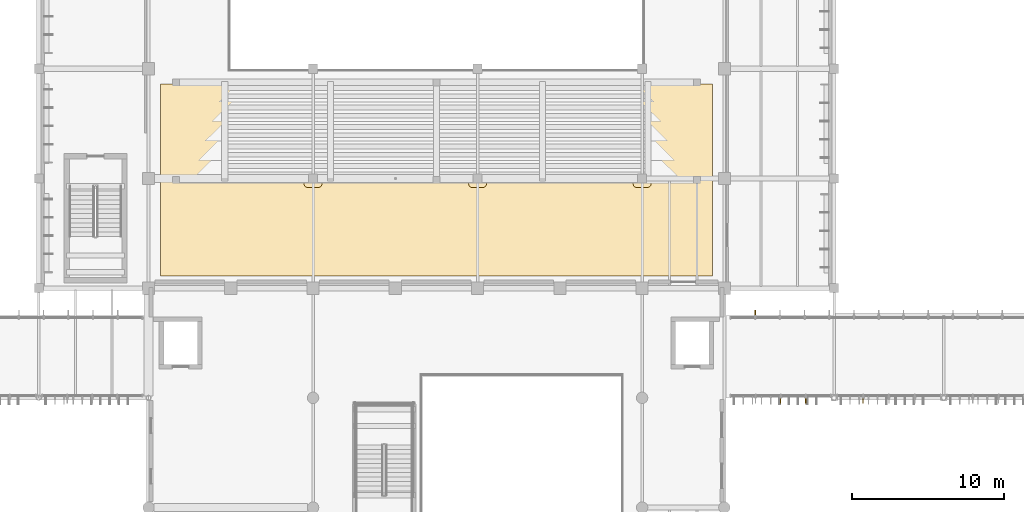
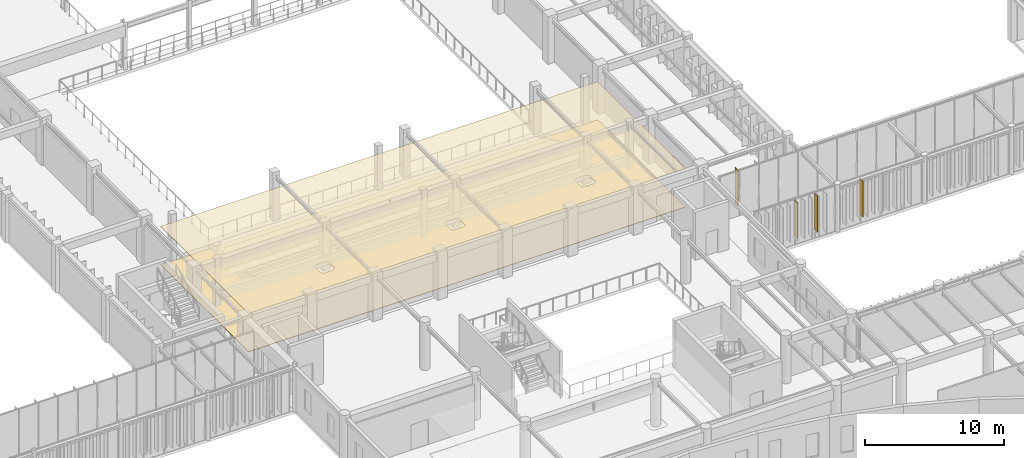
# One storey, part 112 of 122: 4 shading devices, 2 coverings.
"""IFC4 building model written with IfcOpenShell, lengths in metres."""

from ifc_helpers import new_model, si_unit, direction, frame, origin, origin_2d, place, context, subcontext, project, spatial, polyline, rectangle, outline, extrude, material, layer, layer_set, type_object, element, save


model = new_model("IFC4")

# Units and contexts
model_context = context("Model", 3, precision=1e-05, world=origin(), true_north=direction((0.0, 1.0)))
body_context = subcontext(model_context, "Body", "Model", "MODEL_VIEW")
ifc_project = project(units=[si_unit("LENGTHUNIT", "METRE"), si_unit("AREAUNIT", "SQUARE_METRE"), si_unit("VOLUMEUNIT", "CUBIC_METRE"), si_unit("PLANEANGLEUNIT", "RADIAN"), si_unit("MASSUNIT", "GRAM", prefix="KILO")], contexts=[model_context])

# Site, building, storey
site_placement = place(None, origin())
site = spatial("IfcSite", under=ifc_project, at=site_placement, CompositionType="ELEMENT")
building_placement = place(site_placement, origin())
building = spatial("IfcBuilding", under=site, at=building_placement, Name="Tazoul Stagehouse", CompositionType="ELEMENT")
storey_placement = place(building_placement, frame((0.0, 0.0, 4.800048828125)))
storey = spatial("IfcBuildingStorey", under=building, at=storey_placement, Name="L01", CompositionType="ELEMENT", Elevation=4.800048828125)

# Shading devices
ifc_material_1 = material(Name="Anodised Bronze Aluminium 6063-T6", Category="aluminium")
ifc_layer_1 = layer(ifc_material_1, 0.050048828125, Name="Anodised Bronze Aluminium 6063-T6")
ifc_layer_set_1 = layer_set([ifc_layer_1], Name="Anodised Bronze Aluminium 6063-T6")
shading_device_type_1 = type_object("IfcShadingDeviceType", Name="Angled Acoustic Sun-Screen Blade 460", PredefinedType="USERDEFINED", material=ifc_layer_set_1)
for number, where, z_axis, x_axis, name in (
    (1, (100.740966796875, 44.469970703125, 0.75), (0.0, 0.0, 1.0), (1.0, 0.0, 0.0), "Shading Louvre FIN-02 CW-ELNK-S-L01-B1-SHD03"),
    (2, (104.505859375, 44.469970703125, 0.75), (0.0, 0.0, 1.0), (1.0, 0.0, 0.0), "Shading Louvre FIN-02 CW-ELNK-S-L01-B2-SHD01"),
    (3, (97.422119140625, 50.1298828125, 0.75), (0.0, 0.0, 1.0), (1.0, 0.0, 0.0), "Shading Louvre FIN-02 CW-ELNK-N-L01-SHD01"),
):
    element("IfcShadingDevice", number, at=place(storey_placement, frame(where, z_axis=z_axis, x_axis=x_axis)), inside=storey, type_object=shading_device_type_1, Name=name, ObjectType="FIN", PredefinedType="USERDEFINED", context=body_context, shape_type="SweptSolid", body=[
        extrude(rectangle(XDim=0.044921875, YDim=0.4599609375, at=origin_2d()), origin(), (0.0, 0.0, 1.0), 3.14990234375),
    ])

# Coverings
ifc_material_2 = material(Name="Acoustic Cedar Timber", Category="wood")
ifc_layer_2 = layer(ifc_material_2, 0.0400390625, Name="Acoustic Cedar Timber")
ifc_layer_set_2 = layer_set([ifc_layer_2], Name="Acoustic Cedar Timber")
covering_type_1 = type_object("IfcCoveringType", Name="Atlas Cedar Sprung Stage & Hall Flooring 40", PredefinedType="FLOORING", material=ifc_layer_set_2)
covering_1_placement = place(storey_placement, origin())
element("IfcCovering", 4, at=covering_1_placement, inside=storey, type_object=covering_type_1, Name="L01 Dress Circle Tier and Side Boxes Flooring", PredefinedType="FLOORING", context=body_context, shape_type="SweptSolid", body=[
    extrude(outline(polyline([(94.610107421875, 65.2099609375), (94.610107421875, 52.590087890625), (58.389892578125, 52.590087890625), (58.389892578125, 65.2099609375), (94.610107421875, 65.2099609375)]), holes=[polyline([(90.5888671875, 59.364501953125), (90.585205078125, 59.388916015625), (90.5791015625, 59.41259765625), (90.571044921875, 59.435791015625), (90.560546875, 59.457763671875), (90.5478515625, 59.47900390625), (90.533203125, 59.49853515625), (90.516845703125, 59.516845703125), (90.49853515625, 59.533203125), (90.47900390625, 59.5478515625), (90.457763671875, 59.560546875), (90.435791015625, 59.571044921875), (90.41259765625, 59.5791015625), (90.388916015625, 59.585205078125), (90.364501953125, 59.5888671875), (90.340087890625, 59.590087890625), (89.659912109375, 59.590087890625), (89.635498046875, 59.5888671875), (89.611083984375, 59.585205078125), (89.58740234375, 59.5791015625), (89.564208984375, 59.571044921875), (89.542236328125, 59.560546875), (89.52099609375, 59.5478515625), (89.50146484375, 59.533203125), (89.483154296875, 59.516845703125), (89.466796875, 59.49853515625), (89.4521484375, 59.47900390625), (89.439453125, 59.457763671875), (89.428955078125, 59.435791015625), (89.4208984375, 59.41259765625), (89.414794921875, 59.388916015625), (89.4111328125, 59.364501953125), (89.409912109375, 59.340087890625), (89.409912109375, 58.659912109375), (89.4111328125, 58.635498046875), (89.414794921875, 58.611083984375), (89.4208984375, 58.58740234375), (89.428955078125, 58.564208984375), (89.439453125, 58.542236328125), (89.4521484375, 58.52099609375), (89.466796875, 58.50146484375), (89.483154296875, 58.483154296875), (89.50146484375, 58.466796875), (89.52099609375, 58.4521484375), (89.542236328125, 58.439453125), (89.564208984375, 58.428955078125), (89.58740234375, 58.4208984375), (89.611083984375, 58.414794921875), (89.635498046875, 58.4111328125), (89.659912109375, 58.409912109375), (90.340087890625, 58.409912109375), (90.364501953125, 58.4111328125), (90.388916015625, 58.414794921875), (90.41259765625, 58.4208984375), (90.435791015625, 58.428955078125), (90.457763671875, 58.439453125), (90.47900390625, 58.4521484375), (90.49853515625, 58.466796875), (90.516845703125, 58.483154296875), (90.533203125, 58.50146484375), (90.5478515625, 58.52099609375), (90.560546875, 58.542236328125), (90.571044921875, 58.564208984375), (90.5791015625, 58.58740234375), (90.585205078125, 58.611083984375), (90.5888671875, 58.635498046875), (90.590087890625, 58.659912109375), (90.590087890625, 59.340087890625), (90.5888671875, 59.364501953125)]), polyline([(79.788818359375, 59.364501953125), (79.78515625, 59.388916015625), (79.779296875, 59.41259765625), (79.77099609375, 59.435791015625), (79.760498046875, 59.457763671875), (79.747802734375, 59.47900390625), (79.7333984375, 59.49853515625), (79.716796875, 59.516845703125), (79.698486328125, 59.533203125), (79.678955078125, 59.5478515625), (79.65771484375, 59.560546875), (79.6357421875, 59.571044921875), (79.612548828125, 59.5791015625), (79.5888671875, 59.585205078125), (79.564453125, 59.5888671875), (79.5400390625, 59.590087890625), (78.860107421875, 59.590087890625), (78.83544921875, 59.5888671875), (78.811279296875, 59.585205078125), (78.787353515625, 59.5791015625), (78.764404296875, 59.571044921875), (78.7421875, 59.560546875), (78.72119140625, 59.5478515625), (78.701416015625, 59.533203125), (78.68310546875, 59.516845703125), (78.666748046875, 59.49853515625), (78.652099609375, 59.47900390625), (78.639404296875, 59.457763671875), (78.62890625, 59.435791015625), (78.620849609375, 59.41259765625), (78.61474609375, 59.388916015625), (78.611083984375, 59.364501953125), (78.610107421875, 59.340087890625), (78.610107421875, 58.659912109375), (78.611083984375, 58.635498046875), (78.61474609375, 58.611083984375), (78.620849609375, 58.58740234375), (78.62890625, 58.564208984375), (78.639404296875, 58.542236328125), (78.652099609375, 58.52099609375), (78.666748046875, 58.50146484375), (78.68310546875, 58.483154296875), (78.701416015625, 58.466796875), (78.72119140625, 58.4521484375), (78.7421875, 58.439453125), (78.764404296875, 58.428955078125), (78.787353515625, 58.4208984375), (78.811279296875, 58.414794921875), (78.83544921875, 58.4111328125), (78.860107421875, 58.409912109375), (79.5400390625, 58.409912109375), (79.564453125, 58.4111328125), (79.5888671875, 58.414794921875), (79.612548828125, 58.4208984375), (79.6357421875, 58.428955078125), (79.65771484375, 58.439453125), (79.678955078125, 58.4521484375), (79.698486328125, 58.466796875), (79.716796875, 58.483154296875), (79.7333984375, 58.50146484375), (79.747802734375, 58.52099609375), (79.760498046875, 58.542236328125), (79.77099609375, 58.564208984375), (79.779296875, 58.58740234375), (79.78515625, 58.611083984375), (79.788818359375, 58.635498046875), (79.7900390625, 58.659912109375), (79.7900390625, 59.340087890625), (79.788818359375, 59.364501953125)]), polyline([(68.98876953125, 59.364501953125), (68.985107421875, 59.388916015625), (68.979248046875, 59.41259765625), (68.970947265625, 59.435791015625), (68.96044921875, 59.457763671875), (68.947998046875, 59.47900390625), (68.933349609375, 59.49853515625), (68.916748046875, 59.516845703125), (68.898681640625, 59.533203125), (68.87890625, 59.5478515625), (68.85791015625, 59.560546875), (68.835693359375, 59.571044921875), (68.8125, 59.5791015625), (68.788818359375, 59.585205078125), (68.764404296875, 59.5888671875), (68.739990234375, 59.590087890625), (68.06005859375, 59.590087890625), (68.035400390625, 59.5888671875), (68.01123046875, 59.585205078125), (67.9873046875, 59.5791015625), (67.96435546875, 59.571044921875), (67.942138671875, 59.560546875), (67.921142578125, 59.5478515625), (67.9013671875, 59.533203125), (67.88330078125, 59.516845703125), (67.86669921875, 59.49853515625), (67.85205078125, 59.47900390625), (67.839599609375, 59.457763671875), (67.8291015625, 59.435791015625), (67.82080078125, 59.41259765625), (67.814697265625, 59.388916015625), (67.811279296875, 59.364501953125), (67.81005859375, 59.340087890625), (67.81005859375, 58.659912109375), (67.811279296875, 58.635498046875), (67.814697265625, 58.611083984375), (67.82080078125, 58.58740234375), (67.8291015625, 58.564208984375), (67.839599609375, 58.542236328125), (67.85205078125, 58.52099609375), (67.86669921875, 58.50146484375), (67.88330078125, 58.483154296875), (67.9013671875, 58.466796875), (67.921142578125, 58.4521484375), (67.942138671875, 58.439453125), (67.96435546875, 58.428955078125), (67.9873046875, 58.4208984375), (68.01123046875, 58.414794921875), (68.035400390625, 58.4111328125), (68.06005859375, 58.409912109375), (68.739990234375, 58.409912109375), (68.764404296875, 58.4111328125), (68.788818359375, 58.414794921875), (68.8125, 58.4208984375), (68.835693359375, 58.428955078125), (68.85791015625, 58.439453125), (68.87890625, 58.4521484375), (68.898681640625, 58.466796875), (68.916748046875, 58.483154296875), (68.933349609375, 58.50146484375), (68.947998046875, 58.52099609375), (68.96044921875, 58.542236328125), (68.970947265625, 58.564208984375), (68.979248046875, 58.58740234375), (68.985107421875, 58.611083984375), (68.98876953125, 58.635498046875), (68.989990234375, 58.659912109375), (68.989990234375, 59.340087890625), (68.98876953125, 59.364501953125)])]), origin(), (0.0, 0.0, 1.0), 0.0400390625),
])
ifc_layer_3 = layer(ifc_material_2, 0.044921875, Name="Acoustic Cedar Timber")
ifc_layer_set_3 = layer_set([ifc_layer_3], Name="Acoustic Cedar Timber")
covering_type_2 = type_object("IfcCoveringType", Name="Perforated Cedar Acoustic Baffle Ceiling 45", PredefinedType="CEILING", material=ifc_layer_set_3)
covering_2_placement = place(storey_placement, frame((0.0, 0.0, 3.344970703125)))
element("IfcCovering", 5, at=covering_2_placement, inside=storey, type_object=covering_type_2, Name="L01 Dress Circle Tier and Side Boxes Suspended Ceiling", PredefinedType="CEILING", context=body_context, shape_type="SweptSolid", body=[
    extrude(outline(polyline([(94.610107421875, 65.2099609375), (94.610107421875, 52.590087890625), (58.389892578125, 52.590087890625), (58.389892578125, 65.2099609375), (94.610107421875, 65.2099609375)])), origin(), (0.0, 0.0, 1.0), 0.044921875),
])

# Shading device
ifc_layer_4 = layer(ifc_material_1, 0.044921875, Name="Anodised Bronze Aluminium 6063-T6")
ifc_layer_set_4 = layer_set([ifc_layer_4], Name="Anodised Bronze Aluminium 6063-T6")
shading_device_type_2 = type_object("IfcShadingDeviceType", Name="Vertical Extruded Terracotta-Bronze Louvre 460", PredefinedType="JALOUSIE", material=ifc_layer_set_4)
shading_device_placement = place(storey_placement, frame((99.093994140625, 44.469970703125, 0.75), z_axis=(0.0, 0.0, 1.0), x_axis=(1.0, 0.0, 0.0)))
element("IfcShadingDevice", 6, at=shading_device_placement, inside=storey, type_object=shading_device_type_2, Name="Shading Louvre FIN-01 CW-ELNK-S-L01-B1-SHD02", PredefinedType="JALOUSIE", context=body_context, shape_type="SweptSolid", body=[
    extrude(rectangle(XDim=0.044921875, YDim=0.4599609375, at=origin_2d()), origin(), (0.0, 0.0, 1.0), 3.14990234375),
])

save(model, "model.ifc")
